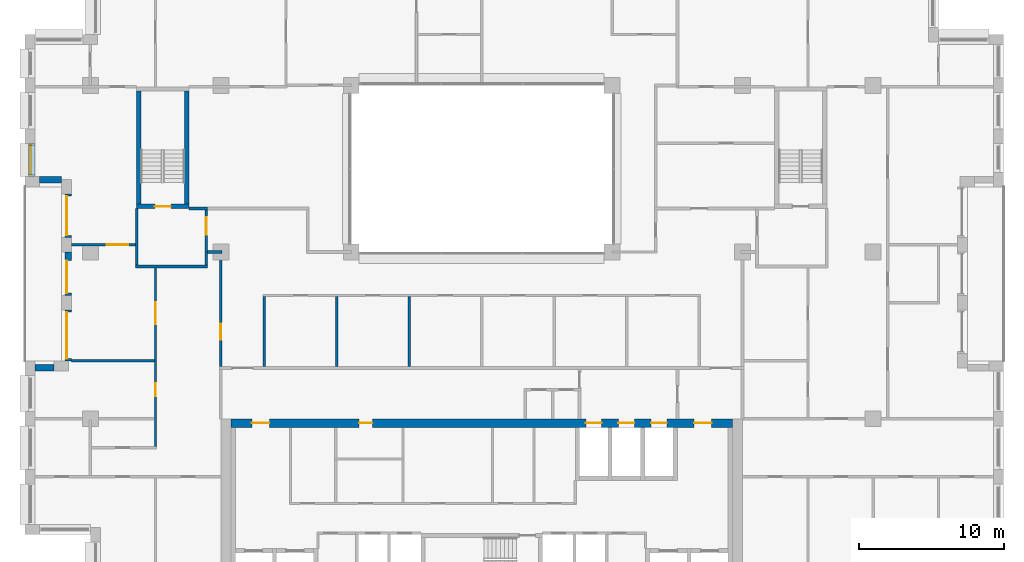
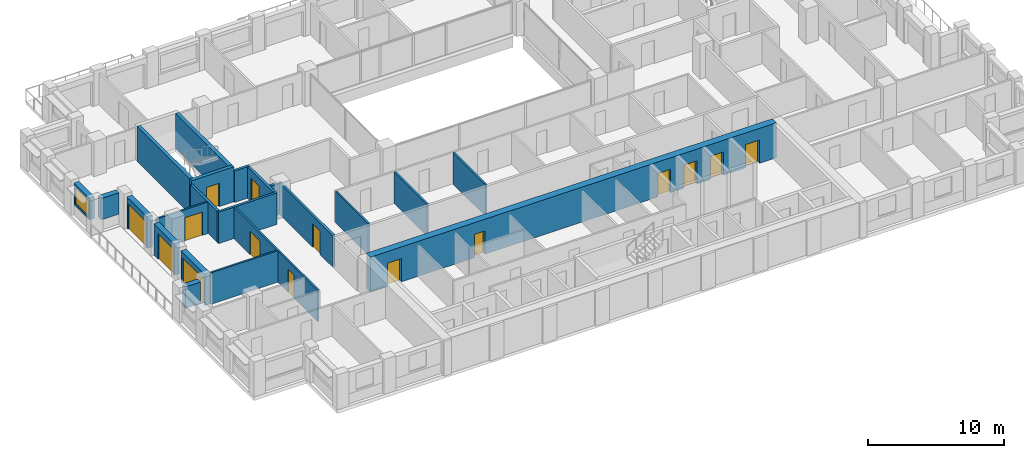
# One storey, part 9 of 16: 22 walls, 15 doors, 1 window, 16 openings.
"""IFC4 building model written with IfcOpenShell, lengths in metres."""

from ifc_helpers import new_model, si_unit, direction, frame, frame_2d, origin, place, context, subcontext, project, spatial, rectangle, extrude, material, layer, layer_set, type_object, element, fill, save


model = new_model("IFC4")

# Units and contexts
model_context = context("Model", 3, precision=1e-05, world=origin(), true_north=direction((0.0, 1.0)))
body_context = subcontext(model_context, "Body", "Model", "MODEL_VIEW")
ifc_project = project(units=[si_unit("LENGTHUNIT", "METRE"), si_unit("AREAUNIT", "SQUARE_METRE"), si_unit("VOLUMEUNIT", "CUBIC_METRE"), si_unit("PLANEANGLEUNIT", "RADIAN"), si_unit("MASSUNIT", "GRAM", prefix="KILO")], contexts=[model_context])

# Site, building, storey
site_placement = place(None, origin())
site = spatial("IfcSite", under=ifc_project, at=site_placement, CompositionType="ELEMENT")
building_placement = place(site_placement, origin())
building = spatial("IfcBuilding", under=site, at=building_placement, Name="Brigalow Station Residences", CompositionType="ELEMENT")
storey_placement = place(building_placement, frame((0.0, 0.0, 166.5)))
storey = spatial("IfcBuildingStorey", under=building, at=storey_placement, Name="L48", CompositionType="ELEMENT", Elevation=166.5)

# Wall, opening, window
ifc_material_1 = material(Name="Clay brick masonry", Category="masonry")
ifc_layer_1 = layer(ifc_material_1, 0.449951171875)
ifc_layer_set_1 = layer_set([ifc_layer_1], Name="BRICK INFILL WALL 450")
wall_type_1 = type_object("IfcWallType", Name="BRICK INFILL WALL 450", PredefinedType="SOLIDWALL", material=ifc_layer_set_1)
wall_1_placement = place(storey_placement, frame((4.97509765625, 31.5, 0.89990234375), z_axis=(0.0, 0.0, 1.0), x_axis=(0.0, -1.0, 0.0)))
wall_1 = element("IfcWall", 1, at=wall_1_placement, inside=storey, type_object=wall_type_1, Name="L48/ewall/W-L48-39", PredefinedType="SOLIDWALL", context=body_context, shape_type="SweptSolid", body=[
    extrude(rectangle(XDim=2.300048828125, YDim=0.449951171875, at=frame_2d((1.14990234375, 0.0))), origin(), (0.0, 0.0, 1.0), 1.93017578125),
])
opening_1_placement = place(wall_1_placement, frame((0.14990234375, 0.0, 0.14990234375)))
opening_1 = element("IfcOpeningElement", 2, at=opening_1_placement, cuts=wall_1, Name="Opening WT-7", PredefinedType="OPENING", context=body_context, shape_type="SweptSolid", body=[
    extrude(rectangle(XDim=2.0, YDim=1.5, at=frame_2d((1.0, 0.75))), frame((0.0, 0.23486328125, 0.0), z_axis=(0.0, -1.0, 0.0), x_axis=(1.0, 0.0, 0.0)), (0.0, 0.0, 1.0), 0.469970703125),
])
ifc_material_2 = material(Name="Anodised aluminium frame with double glazing", Category="aluminium")
window_type = type_object("IfcWindowType", Name="WINDOW 2000x1500", PartitioningType="SINGLE_PANEL", PredefinedType="WINDOW", material=ifc_material_2)
window_placement = place(opening_1_placement, origin())
window = element("IfcWindow", 3, at=window_placement, inside=storey, type_object=window_type, Name="L48/window/W-L48-39", OverallHeight=1.5, OverallWidth=2.0, PartitioningType="SINGLE_PANEL", PredefinedType="WINDOW", context=body_context, shape_type="SweptSolid", body=[
    extrude(rectangle(XDim=2.0, YDim=1.5, at=frame_2d((1.0, 0.75))), frame((0.0, -0.06494140625, 0.0), z_axis=(0.0, -1.0, 0.0), x_axis=(1.0, 0.0, 0.0)), (0.0, 0.0, 1.0), 0.06005859375),
])
fill(opening_1, window)

# Wall
wall_2_placement = place(storey_placement, frame((5.5, 28.97509765625, 0.89990234375), z_axis=(0.0, 0.0, 1.0), x_axis=(1.0, 0.0, 0.0)))
element("IfcWall", 4, at=wall_2_placement, inside=storey, type_object=wall_type_1, Name="L48/ewall/W-L48-40", PredefinedType="SOLIDWALL", context=body_context, shape_type="SweptSolid", body=[
    extrude(rectangle(XDim=1.5, YDim=0.449951171875, at=frame_2d((0.75, 0.0))), origin(), (0.0, 0.0, 1.0), 1.93017578125),
])

# Wall, opening, door
wall_3_placement = place(storey_placement, frame((7.47509765625, 28.0, 0.0), z_axis=(0.0, 0.0, 1.0), x_axis=(0.0, -1.0, 0.0)))
wall_3 = element("IfcWall", 5, at=wall_3_placement, inside=storey, type_object=wall_type_1, Name="L48/ewall/W-L48-41", PredefinedType="SOLIDWALL", context=body_context, shape_type="SweptSolid", body=[
    extrude(rectangle(XDim=3.0, YDim=0.449951171875, at=frame_2d((1.5, 0.0))), origin(), (0.0, 0.0, 1.0), 2.830078125),
])
opening_2_placement = place(wall_3_placement, frame((0.14990234375, 0.0, 0.0)))
opening_2 = element("IfcOpeningElement", 6, at=opening_2_placement, cuts=wall_3, Name="Opening D-B2700", PredefinedType="OPENING", context=body_context, shape_type="SweptSolid", body=[
    extrude(rectangle(XDim=2.699951171875, YDim=2.300048828125, at=frame_2d((1.35009765625, 1.14990234375))), frame((0.0, 0.23486328125, 0.0), z_axis=(0.0, -1.0, 0.0), x_axis=(1.0, 0.0, 0.0)), (0.0, 0.0, 1.0), 0.469970703125),
])
ifc_material_3 = material(Name="Anodised aluminium frame with double glazing", Category="aluminium")
door_type_1 = type_object("IfcDoorType", Name="BALCONY SLIDING DOOR 2700x2300", OperationType="SLIDING_TO_LEFT", PredefinedType="DOOR", material=ifc_material_3)
door_1_placement = place(opening_2_placement, origin())
door_1 = element("IfcDoor", 7, at=door_1_placement, inside=storey, type_object=door_type_1, Name="L48/balcony-door/W-L48-41", OperationType="SLIDING_TO_LEFT", OverallHeight=2.300048828125, OverallWidth=2.699951171875, PredefinedType="DOOR", context=body_context, shape_type="SweptSolid", body=[
    extrude(rectangle(XDim=2.699951171875, YDim=2.300048828125, at=frame_2d((1.35009765625, 1.14990234375))), frame((0.0, -0.06982421875, 0.0), z_axis=(0.0, -1.0, 0.0), x_axis=(1.0, 0.0, 0.0)), (0.0, 0.0, 1.0), 0.050048828125),
])
fill(opening_2, door_1)

wall_4_placement = place(storey_placement, frame((7.47509765625, 24.0, 0.0), z_axis=(0.0, 0.0, 1.0), x_axis=(0.0, -1.0, 0.0)))
wall_4 = element("IfcWall", 8, at=wall_4_placement, inside=storey, type_object=wall_type_1, Name="L48/ewall/W-L48-42", PredefinedType="SOLIDWALL", context=body_context, shape_type="SweptSolid", body=[
    extrude(rectangle(XDim=3.0, YDim=0.449951171875, at=frame_2d((1.5, 0.0))), origin(), (0.0, 0.0, 1.0), 2.830078125),
])
opening_3_placement = place(wall_4_placement, frame((0.5849609375, 0.0, 0.0)))
opening_3 = element("IfcOpeningElement", 9, at=opening_3_placement, cuts=wall_4, Name="Opening D-B2250", PredefinedType="OPENING", context=body_context, shape_type="SweptSolid", body=[
    extrude(rectangle(XDim=2.25, YDim=2.300048828125, at=frame_2d((1.125, 1.14990234375))), frame((0.0, 0.23486328125, 0.0), z_axis=(0.0, -1.0, 0.0), x_axis=(1.0, 0.0, 0.0)), (0.0, 0.0, 1.0), 0.469970703125),
])
ifc_material_4 = material(Name="Anodised aluminium frame with double glazing", Category="aluminium")
door_type_2 = type_object("IfcDoorType", Name="BALCONY SLIDING DOOR 2250x2300", OperationType="SLIDING_TO_LEFT", PredefinedType="DOOR", material=ifc_material_4)
door_2_placement = place(opening_3_placement, origin())
door_2 = element("IfcDoor", 10, at=door_2_placement, inside=storey, type_object=door_type_2, Name="L48/balcony-door/W-L48-42", OperationType="SLIDING_TO_LEFT", OverallHeight=2.300048828125, OverallWidth=2.25, PredefinedType="DOOR", context=body_context, shape_type="SweptSolid", body=[
    extrude(rectangle(XDim=2.25, YDim=2.300048828125, at=frame_2d((1.125, 1.14990234375))), frame((0.0, -0.06982421875, 0.0), z_axis=(0.0, -1.0, 0.0), x_axis=(1.0, 0.0, 0.0)), (0.0, 0.0, 1.0), 0.050048828125),
])
fill(opening_3, door_2)

wall_5_placement = place(storey_placement, frame((7.47509765625, 20.0, 0.0), z_axis=(0.0, 0.0, 1.0), x_axis=(0.0, -1.0, 0.0)))
wall_5 = element("IfcWall", 11, at=wall_5_placement, inside=storey, type_object=wall_type_1, Name="L48/ewall/W-L48-43", PredefinedType="SOLIDWALL", context=body_context, shape_type="SweptSolid", body=[
    extrude(rectangle(XDim=3.5, YDim=0.449951171875, at=frame_2d((1.75, 0.0))), origin(), (0.0, 0.0, 1.0), 2.830078125),
])
opening_4_placement = place(wall_5_placement, frame((0.14990234375, 0.0, 0.0)))
opening_4 = element("IfcOpeningElement", 12, at=opening_4_placement, cuts=wall_5, Name="Opening D-B3200", PredefinedType="OPENING", context=body_context, shape_type="SweptSolid", body=[
    extrude(rectangle(XDim=3.199951171875, YDim=2.300048828125, at=frame_2d((1.60009765625, 1.14990234375))), frame((0.0, 0.23486328125, 0.0), z_axis=(0.0, -1.0, 0.0), x_axis=(1.0, 0.0, 0.0)), (0.0, 0.0, 1.0), 0.469970703125),
])
ifc_material_5 = material(Name="Anodised aluminium frame with double glazing", Category="aluminium")
door_type_3 = type_object("IfcDoorType", Name="BALCONY SLIDING DOOR 3200x2300", OperationType="SLIDING_TO_LEFT", PredefinedType="DOOR", material=ifc_material_5)
door_3_placement = place(opening_4_placement, origin())
door_3 = element("IfcDoor", 13, at=door_3_placement, inside=storey, type_object=door_type_3, Name="L48/balcony-door/W-L48-43", OperationType="SLIDING_TO_LEFT", OverallHeight=2.300048828125, OverallWidth=3.199951171875, PredefinedType="DOOR", context=body_context, shape_type="SweptSolid", body=[
    extrude(rectangle(XDim=3.199951171875, YDim=2.300048828125, at=frame_2d((1.60009765625, 1.14990234375))), frame((0.0, -0.06982421875, 0.0), z_axis=(0.0, -1.0, 0.0), x_axis=(1.0, 0.0, 0.0)), (0.0, 0.0, 1.0), 0.050048828125),
])
fill(opening_4, door_3)

# Wall
wall_6_placement = place(storey_placement, frame((6.5, 16.02490234375, 0.89990234375), z_axis=(0.0, 0.0, 1.0), x_axis=(-1.0, 0.0, 0.0)))
element("IfcWall", 14, at=wall_6_placement, inside=storey, type_object=wall_type_1, Name="L48/ewall/W-L48-44", PredefinedType="SOLIDWALL", context=body_context, shape_type="SweptSolid", body=[
    extrude(rectangle(XDim=1.300048828125, YDim=0.449951171875, at=frame_2d((0.64990234375, 0.0))), origin(), (0.0, 0.0, 1.0), 1.93017578125),
])

# Wall, opening, door
ifc_material_6 = material(Name="Concrete C65", Category="concrete")
ifc_layer_2 = layer(ifc_material_6, 0.300048828125)
ifc_layer_set_2 = layer_set([ifc_layer_2], Name="CORE SHEAR WALL 300 C65")
wall_type_2 = type_object("IfcWallType", Name="CORE SHEAR WALL 300 C65", PredefinedType="SHEAR", material=ifc_layer_set_2)
wall_7_placement = place(storey_placement, frame((12.199951171875, 27.14990234375, 0.0), z_axis=(0.0, 0.0, 1.0), x_axis=(1.0, 0.0, 0.0)))
wall_7 = element("IfcWall", 15, at=wall_7_placement, inside=storey, type_object=wall_type_2, Name="CORE WALL ST-S1-S L48", PredefinedType="SHEAR", context=body_context, shape_type="SweptSolid", body=[
    extrude(rectangle(XDim=3.60009765625, YDim=0.300048828125, at=frame_2d((1.800048828125, 0.0))), origin(), (0.0, 0.0, 1.0), 3.14990234375),
])
opening_5_placement = place(wall_7_placement, frame((1.25, 0.0, 0.0)))
opening_5 = element("IfcOpeningElement", 16, at=opening_5_placement, cuts=wall_7, Name="Opening D-5015", PredefinedType="OPENING", context=body_context, shape_type="SweptSolid", body=[
    extrude(rectangle(XDim=1.10009765625, YDim=2.10009765625, at=frame_2d((0.550048828125, 1.050048828125))), frame((0.0, 0.16015625, 0.0), z_axis=(0.0, -1.0, 0.0), x_axis=(1.0, 0.0, 0.0)), (0.0, 0.0, 1.0), 0.320068359375),
])
ifc_material_7 = material(Name="Steel fire door leaf in steel frame", Category="steel")
door_type_4 = type_object("IfcDoorType", Name="STAIR DOOR 1100 x 2100 FD60S", OperationType="SINGLE_SWING_LEFT", PredefinedType="DOOR", material=ifc_material_7)
door_4_placement = place(opening_5_placement, origin())
door_4 = element("IfcDoor", 17, at=door_4_placement, inside=storey, type_object=door_type_4, Name="D-5015", OperationType="SINGLE_SWING_LEFT", OverallHeight=2.10009765625, OverallWidth=1.10009765625, PredefinedType="DOOR", context=body_context, shape_type="SweptSolid", body=[
    extrude(rectangle(XDim=1.10009765625, YDim=2.10009765625, at=frame_2d((0.550048828125, 1.050048828125))), frame((0.0, 0.02490234375, 0.0), z_axis=(0.0, -1.0, 0.0), x_axis=(1.0, 0.0, 0.0)), (0.0, 0.0, 1.0), 0.050048828125),
])
fill(opening_5, door_4)

# Walls
for number, where, z_axis, x_axis, name in (
    (18, (12.35009765625, 27.300048828125, 0.0), (0.0, 0.0, 1.0), (0.0, 1.0, 0.0), "CORE WALL ST-S1-W L48"),
    (19, (15.64990234375, 27.300048828125, 0.0), (0.0, 0.0, 1.0), (0.0, 1.0, 0.0), "CORE WALL ST-S1-E L48"),
):
    element("IfcWall", number, at=place(storey_placement, frame(where, z_axis=z_axis, x_axis=x_axis)), inside=storey, type_object=wall_type_2, Name=name, PredefinedType="SHEAR", context=body_context, shape_type="SweptSolid", body=[
        extrude(rectangle(XDim=7.800048828125, YDim=0.300048828125, at=frame_2d((3.89990234375, 0.0))), origin(), (0.0, 0.0, 1.0), 3.14990234375),
    ])

# Wall, openings, doors
ifc_material_8 = material(Name="Concrete C65", Category="concrete")
ifc_layer_3 = layer(ifc_material_8, 0.60009765625)
ifc_layer_set_3 = layer_set([ifc_layer_3], Name="CORE SHEAR WALL 600 C65")
wall_type_3 = type_object("IfcWallType", Name="CORE SHEAR WALL 600 C65", PredefinedType="SHEAR", material=ifc_layer_set_3)
wall_8_placement = place(storey_placement, frame((18.699951171875, 12.199951171875, 0.0), z_axis=(0.0, 0.0, 1.0), x_axis=(1.0, 0.0, 0.0)))
wall_8 = element("IfcWall", 20, at=wall_8_placement, inside=storey, type_object=wall_type_3, Name="CORE WALL OUT-N L48", PredefinedType="SHEAR", context=body_context, shape_type="SweptSolid", body=[
    extrude(rectangle(XDim=34.60009765625, YDim=0.60009765625, at=frame_2d((17.300048828125, 0.0))), origin(), (0.0, 0.0, 1.0), 3.14990234375),
])
opening_6_placement = place(wall_8_placement, frame((24.47509765625, 0.0, 0.0)))
opening_6 = element("IfcOpeningElement", 21, at=opening_6_placement, cuts=wall_8, Name="Opening LD-LF1", PredefinedType="OPENING", context=body_context, shape_type="SweptSolid", body=[
    extrude(rectangle(XDim=1.10009765625, YDim=2.10009765625, at=frame_2d((0.550048828125, 1.050048828125))), frame((0.0, 0.31005859375, 0.0), z_axis=(0.0, -1.0, 0.0), x_axis=(1.0, 0.0, 0.0)), (0.0, 0.0, 1.0), 0.6201171875),
])
opening_7_placement = place(wall_8_placement, frame((26.72509765625, 0.0, 0.0)))
opening_7 = element("IfcOpeningElement", 22, at=opening_7_placement, cuts=wall_8, Name="Opening LD-LF2", PredefinedType="OPENING", context=body_context, shape_type="SweptSolid", body=[
    extrude(rectangle(XDim=1.10009765625, YDim=2.10009765625, at=frame_2d((0.550048828125, 1.050048828125))), frame((0.0, 0.31005859375, 0.0), z_axis=(0.0, -1.0, 0.0), x_axis=(1.0, 0.0, 0.0)), (0.0, 0.0, 1.0), 0.6201171875),
])
opening_8_placement = place(wall_8_placement, frame((28.97509765625, 0.0, 0.0)))
opening_8 = element("IfcOpeningElement", 23, at=opening_8_placement, cuts=wall_8, Name="Opening LD-LG1", PredefinedType="OPENING", context=body_context, shape_type="SweptSolid", body=[
    extrude(rectangle(XDim=1.10009765625, YDim=2.10009765625, at=frame_2d((0.550048828125, 1.050048828125))), frame((0.0, 0.31005859375, 0.0), z_axis=(0.0, -1.0, 0.0), x_axis=(1.0, 0.0, 0.0)), (0.0, 0.0, 1.0), 0.6201171875),
])
opening_9_placement = place(wall_8_placement, frame((8.85009765625, 0.0, 0.0)))
opening_9 = element("IfcOpeningElement", 24, at=opening_9_placement, cuts=wall_8, Name="Opening D-5121", PredefinedType="OPENING", context=body_context, shape_type="SweptSolid", body=[
    extrude(rectangle(XDim=0.89990234375, YDim=2.10009765625, at=frame_2d((0.449951171875, 1.050048828125))), frame((0.0, 0.31005859375, 0.0), z_axis=(0.0, -1.0, 0.0), x_axis=(1.0, 0.0, 0.0)), (0.0, 0.0, 1.0), 0.6201171875),
])
opening_10_placement = place(wall_8_placement, frame((1.449951171875, 0.0, 0.0)))
opening_10 = element("IfcOpeningElement", 25, at=opening_10_placement, cuts=wall_8, Name="Opening D-5011", PredefinedType="OPENING", context=body_context, shape_type="SweptSolid", body=[
    extrude(rectangle(XDim=1.199951171875, YDim=2.10009765625, at=frame_2d((0.60009765625, 1.050048828125))), frame((0.0, 0.31005859375, 0.0), z_axis=(0.0, -1.0, 0.0), x_axis=(1.0, 0.0, 0.0)), (0.0, 0.0, 1.0), 0.6201171875),
])
opening_11_placement = place(wall_8_placement, frame((31.949951171875, 0.0, 0.0)))
opening_11 = element("IfcOpeningElement", 26, at=opening_11_placement, cuts=wall_8, Name="Opening D-5012", PredefinedType="OPENING", context=body_context, shape_type="SweptSolid", body=[
    extrude(rectangle(XDim=1.199951171875, YDim=2.10009765625, at=frame_2d((0.60009765625, 1.050048828125))), frame((0.0, 0.31005859375, 0.0), z_axis=(0.0, -1.0, 0.0), x_axis=(1.0, 0.0, 0.0)), (0.0, 0.0, 1.0), 0.6201171875),
])
ifc_material_9 = material(Name="Steel fire door leaf in steel frame", Category="steel")
door_type_5 = type_object("IfcDoorType", Name="CORE CORRIDOR DOOR 1200 x 2100 FD60S", OperationType="SINGLE_SWING_LEFT", PredefinedType="DOOR", material=ifc_material_9)
door_5_placement = place(opening_10_placement, frame((1.199951171875, 0.0, 0.0), z_axis=(0.0, 0.0, 1.0), x_axis=(-1.0, 0.0, 0.0)))
door_5 = element("IfcDoor", 27, at=door_5_placement, inside=storey, type_object=door_type_5, Name="D-5011", OperationType="SINGLE_SWING_LEFT", OverallHeight=2.10009765625, OverallWidth=1.199951171875, PredefinedType="DOOR", context=body_context, shape_type="SweptSolid", body=[
    extrude(rectangle(XDim=1.199951171875, YDim=2.10009765625, at=frame_2d((0.60009765625, 1.050048828125))), frame((0.0, 0.02490234375, 0.0), z_axis=(0.0, -1.0, 0.0), x_axis=(1.0, 0.0, 0.0)), (0.0, 0.0, 1.0), 0.050048828125),
])
fill(opening_10, door_5)
door_6_placement = place(opening_11_placement, frame((1.199951171875, 0.0, 0.0), z_axis=(0.0, 0.0, 1.0), x_axis=(-1.0, 0.0, 0.0)))
door_6 = element("IfcDoor", 28, at=door_6_placement, inside=storey, type_object=door_type_5, Name="D-5012", OperationType="SINGLE_SWING_RIGHT", OverallHeight=2.10009765625, OverallWidth=1.199951171875, PredefinedType="DOOR", context=body_context, shape_type="SweptSolid", body=[
    extrude(rectangle(XDim=1.199951171875, YDim=2.10009765625, at=frame_2d((0.60009765625, 1.050048828125))), frame((0.0, 0.02490234375, 0.0), z_axis=(0.0, -1.0, 0.0), x_axis=(1.0, 0.0, 0.0)), (0.0, 0.0, 1.0), 0.050048828125),
])
fill(opening_11, door_6)
ifc_material_10 = material(Name="Stainless steel sliding door leaves", Category="steel")
door_type_6 = type_object("IfcDoorType", Name="LIFT LANDING DOOR 1100 x 2100", OperationType="DOUBLE_DOOR_SLIDING", PredefinedType="DOOR", material=ifc_material_10)
door_7_placement = place(opening_6_placement, origin())
door_7 = element("IfcDoor", 29, at=door_7_placement, inside=storey, type_object=door_type_6, Name="LANDING DOOR LF1", OperationType="DOUBLE_DOOR_SLIDING", OverallHeight=2.10009765625, OverallWidth=1.10009765625, PredefinedType="DOOR", context=body_context, shape_type="SweptSolid", body=[
    extrude(rectangle(XDim=1.10009765625, YDim=2.10009765625, at=frame_2d((0.550048828125, 1.050048828125))), frame((0.0, 0.02490234375, 0.0), z_axis=(0.0, -1.0, 0.0), x_axis=(1.0, 0.0, 0.0)), (0.0, 0.0, 1.0), 0.050048828125),
])
fill(opening_6, door_7)
door_8_placement = place(opening_7_placement, origin())
door_8 = element("IfcDoor", 30, at=door_8_placement, inside=storey, type_object=door_type_6, Name="LANDING DOOR LF2", OperationType="DOUBLE_DOOR_SLIDING", OverallHeight=2.10009765625, OverallWidth=1.10009765625, PredefinedType="DOOR", context=body_context, shape_type="SweptSolid", body=[
    extrude(rectangle(XDim=1.10009765625, YDim=2.10009765625, at=frame_2d((0.550048828125, 1.050048828125))), frame((0.0, 0.02490234375, 0.0), z_axis=(0.0, -1.0, 0.0), x_axis=(1.0, 0.0, 0.0)), (0.0, 0.0, 1.0), 0.050048828125),
])
fill(opening_7, door_8)
door_9_placement = place(opening_8_placement, origin())
door_9 = element("IfcDoor", 31, at=door_9_placement, inside=storey, type_object=door_type_6, Name="LANDING DOOR LG1", OperationType="DOUBLE_DOOR_SLIDING", OverallHeight=2.10009765625, OverallWidth=1.10009765625, PredefinedType="DOOR", context=body_context, shape_type="SweptSolid", body=[
    extrude(rectangle(XDim=1.10009765625, YDim=2.10009765625, at=frame_2d((0.550048828125, 1.050048828125))), frame((0.0, 0.02490234375, 0.0), z_axis=(0.0, -1.0, 0.0), x_axis=(1.0, 0.0, 0.0)), (0.0, 0.0, 1.0), 0.050048828125),
])
fill(opening_8, door_9)
ifc_material_11 = material(Name="Steel door leaf in steel frame", Category="steel")
door_type_7 = type_object("IfcDoorType", Name="SERVICE ROOM DOOR 900 x 2100 FD60", OperationType="SINGLE_SWING_LEFT", PredefinedType="DOOR", material=ifc_material_11)
door_10_placement = place(opening_9_placement, frame((0.89990234375, 0.0, 0.0), z_axis=(0.0, 0.0, 1.0), x_axis=(-1.0, 0.0, 0.0)))
door_10 = element("IfcDoor", 32, at=door_10_placement, inside=storey, type_object=door_type_7, Name="D-5121", OperationType="SINGLE_SWING_RIGHT", OverallHeight=2.10009765625, OverallWidth=0.89990234375, PredefinedType="DOOR", context=body_context, shape_type="SweptSolid", body=[
    extrude(rectangle(XDim=0.89990234375, YDim=2.10009765625, at=frame_2d((0.449951171875, 1.050048828125))), frame((0.0, 0.02490234375, 0.0), z_axis=(0.0, -1.0, 0.0), x_axis=(1.0, 0.0, 0.0)), (0.0, 0.0, 1.0), 0.050048828125),
])
fill(opening_9, door_10)

# Walls
ifc_material_12 = material(Name="Concrete blockwork", Category="masonry")
ifc_layer_4 = layer(ifc_material_12, 0.199951171875)
ifc_layer_set_4 = layer_set([ifc_layer_4], Name="FIRE RATED CORE PARTITION 200")
wall_type_4 = type_object("IfcWallType", Name="FIRE RATED CORE PARTITION 200", PredefinedType="PARTITIONING", material=ifc_layer_set_4)
wall_9_placement = place(storey_placement, frame((12.10009765625, 23.0, 0.0), z_axis=(0.0, 0.0, 1.0), x_axis=(1.0, 0.0, 0.0)))
element("IfcWall", 33, at=wall_9_placement, inside=storey, type_object=wall_type_4, Name="PW-5023", PredefinedType="PARTITIONING", context=body_context, shape_type="SweptSolid", body=[
    extrude(rectangle(XDim=5.0, YDim=0.199951171875, at=frame_2d((2.5, 0.0))), origin(), (0.0, 0.0, 1.0), 2.830078125),
])
wall_10_placement = place(storey_placement, frame((15.800048828125, 27.0, 0.0), z_axis=(0.0, 0.0, 1.0), x_axis=(1.0, 0.0, 0.0)))
element("IfcWall", 34, at=wall_10_placement, inside=storey, type_object=wall_type_4, Name="PW-5025", PredefinedType="PARTITIONING", context=body_context, shape_type="SweptSolid", body=[
    extrude(rectangle(XDim=1.300048828125, YDim=0.199951171875, at=frame_2d((0.64990234375, 0.0))), origin(), (0.0, 0.0, 1.0), 2.830078125),
])
wall_11_placement = place(storey_placement, frame((12.199951171875, 23.10009765625, 0.0), z_axis=(0.0, 0.0, 1.0), x_axis=(0.0, 1.0, 0.0)))
element("IfcWall", 35, at=wall_11_placement, inside=storey, type_object=wall_type_4, Name="PW-5034", PredefinedType="PARTITIONING", context=body_context, shape_type="SweptSolid", body=[
    extrude(rectangle(XDim=3.89990234375, YDim=0.199951171875, at=frame_2d((1.949951171875, 0.0))), origin(), (0.0, 0.0, 1.0), 2.830078125),
])

# Wall, opening, door
wall_12_placement = place(storey_placement, frame((17.0, 23.10009765625, 0.0), z_axis=(0.0, 0.0, 1.0), x_axis=(0.0, 1.0, 0.0)))
wall_12 = element("IfcWall", 36, at=wall_12_placement, inside=storey, type_object=wall_type_4, Name="PW-5035", PredefinedType="PARTITIONING", context=body_context, shape_type="SweptSolid", body=[
    extrude(rectangle(XDim=3.7998046875, YDim=0.199951171875, at=frame_2d((1.89990234375, 0.0))), origin(), (0.0, 0.0, 1.0), 2.830078125),
])
opening_12_placement = place(wall_12_placement, frame((2.10009765625, 0.0, 0.0)))
opening_12 = element("IfcOpeningElement", 37, at=opening_12_placement, cuts=wall_12, Name="Opening D-5016", PredefinedType="OPENING", context=body_context, shape_type="SweptSolid", body=[
    extrude(rectangle(XDim=1.199951171875, YDim=2.10009765625, at=frame_2d((0.60009765625, 1.050048828125))), frame((0.0, 0.10986328125, 0.0), z_axis=(0.0, -1.0, 0.0), x_axis=(1.0, 0.0, 0.0)), (0.0, 0.0, 1.0), 0.219970703125),
])
ifc_material_13 = material(Name="Steel fire door leaf in steel frame", Category="steel")
door_type_8 = type_object("IfcDoorType", Name="STAIR LOBBY DOOR 1200 x 2100 FD60S", OperationType="SINGLE_SWING_LEFT", PredefinedType="DOOR", material=ifc_material_13)
door_11_placement = place(opening_12_placement, origin())
door_11 = element("IfcDoor", 38, at=door_11_placement, inside=storey, type_object=door_type_8, Name="D-5016", OperationType="SINGLE_SWING_RIGHT", OverallHeight=2.10009765625, OverallWidth=1.199951171875, PredefinedType="DOOR", context=body_context, shape_type="SweptSolid", body=[
    extrude(rectangle(XDim=1.199951171875, YDim=2.10009765625, at=frame_2d((0.60009765625, 1.050048828125))), frame((0.0, 0.02490234375, 0.0), z_axis=(0.0, -1.0, 0.0), x_axis=(1.0, 0.0, 0.0)), (0.0, 0.0, 1.0), 0.050048828125),
])
fill(opening_12, door_11)

# Wall
ifc_material_14 = material(Name="Plasterboard on steel stud partition", Category="steel")
ifc_layer_5 = layer(ifc_material_14, 0.14990234375)
ifc_layer_set_5 = layer_set([ifc_layer_5], Name="FLAT PARTITION 150")
wall_type_5 = type_object("IfcWallType", Name="FLAT PARTITION 150", PredefinedType="PARTITIONING", material=ifc_layer_set_5)
wall_13_placement = place(storey_placement, frame((7.699951171875, 16.5, 0.0), z_axis=(0.0, 0.0, 1.0), x_axis=(1.0, 0.0, 0.0)))
element("IfcWall", 39, at=wall_13_placement, inside=storey, type_object=wall_type_5, Name="PW-3D13", PredefinedType="PARTITIONING", context=body_context, shape_type="SweptSolid", body=[
    extrude(rectangle(XDim=5.72509765625, YDim=0.14990234375, at=frame_2d((2.862548828125, 0.0))), origin(), (0.0, 0.0, 1.0), 2.830078125),
])

# Wall, opening, door
wall_14_placement = place(storey_placement, frame((7.699951171875, 24.5, 0.0), z_axis=(0.0, 0.0, 1.0), x_axis=(1.0, 0.0, 0.0)))
wall_14 = element("IfcWall", 40, at=wall_14_placement, inside=storey, type_object=wall_type_5, Name="PW-3D15", PredefinedType="PARTITIONING", context=body_context, shape_type="SweptSolid", body=[
    extrude(rectangle(XDim=4.400146484375, YDim=0.14990234375, at=frame_2d((2.2001953125, 0.0))), origin(), (0.0, 0.0, 1.0), 2.830078125),
])
opening_13_placement = place(wall_14_placement, frame((2.425048828125, 0.0, 0.0)))
opening_13 = element("IfcOpeningElement", 41, at=opening_13_placement, cuts=wall_14, Name="Opening D-3D10", PredefinedType="OPENING", context=body_context, shape_type="SweptSolid", body=[
    extrude(rectangle(XDim=1.5, YDim=2.10009765625, at=frame_2d((0.75, 1.050048828125))), frame((0.0, 0.0849609375, 0.0), z_axis=(0.0, -1.0, 0.0), x_axis=(1.0, 0.0, 0.0)), (0.0, 0.0, 1.0), 0.169921875),
])
ifc_material_15 = material(Name="Solid-core timber door leaf", Category="wood")
door_type_9 = type_object("IfcDoorType", Name="INTERNAL DOUBLE DOOR 1500 x 2100", OperationType="DOUBLE_DOOR_SINGLE_SWING", PredefinedType="DOOR", material=ifc_material_15)
door_12_placement = place(opening_13_placement, frame((1.5, 0.0, 0.0), z_axis=(0.0, 0.0, 1.0), x_axis=(-1.0, 0.0, 0.0)))
door_12 = element("IfcDoor", 42, at=door_12_placement, inside=storey, type_object=door_type_9, Name="D-3D10", OperationType="DOUBLE_DOOR_SINGLE_SWING", OverallHeight=2.10009765625, OverallWidth=1.5, PredefinedType="DOOR", context=body_context, shape_type="SweptSolid", body=[
    extrude(rectangle(XDim=1.5, YDim=2.10009765625, at=frame_2d((0.75, 1.050048828125))), frame((0.0, 0.02490234375, 0.0), z_axis=(0.0, -1.0, 0.0), x_axis=(1.0, 0.0, 0.0)), (0.0, 0.0, 1.0), 0.050048828125),
])
fill(opening_13, door_12)

# Wall
wall_15_placement = place(storey_placement, frame((21.0, 16.10009765625, 0.0), z_axis=(0.0, 0.0, 1.0), x_axis=(0.0, 1.0, 0.0)))
element("IfcWall", 43, at=wall_15_placement, inside=storey, type_object=wall_type_5, Name="PW-3D30", PredefinedType="PARTITIONING", context=body_context, shape_type="SweptSolid", body=[
    extrude(rectangle(XDim=4.824951171875, YDim=0.14990234375, at=frame_2d((2.41259765625, 0.0))), origin(), (0.0, 0.0, 1.0), 2.830078125),
])

# Wall, openings, doors
wall_16_placement = place(storey_placement, frame((13.5, 10.574951171875, 0.0), z_axis=(0.0, 0.0, 1.0), x_axis=(0.0, 1.0, 0.0)))
wall_16 = element("IfcWall", 44, at=wall_16_placement, inside=storey, type_object=wall_type_5, Name="PW-3D36", PredefinedType="PARTITIONING", context=body_context, shape_type="SweptSolid", body=[
    extrude(rectangle(XDim=12.324951171875, YDim=0.14990234375, at=frame_2d((6.16259765625, 0.0))), origin(), (0.0, 0.0, 1.0), 2.830078125),
])
opening_14_placement = place(wall_16_placement, frame((3.47509765625, 0.0, 0.0)))
opening_14 = element("IfcOpeningElement", 45, at=opening_14_placement, cuts=wall_16, Name="Opening D-3D08", PredefinedType="OPENING", context=body_context, shape_type="SweptSolid", body=[
    extrude(rectangle(XDim=0.89990234375, YDim=2.10009765625, at=frame_2d((0.449951171875, 1.050048828125))), frame((0.0, 0.0849609375, 0.0), z_axis=(0.0, -1.0, 0.0), x_axis=(1.0, 0.0, 0.0)), (0.0, 0.0, 1.0), 0.169921875),
])
opening_15_placement = place(wall_16_placement, frame((8.449951171875, 0.0, 0.0)))
opening_15 = element("IfcOpeningElement", 46, at=opening_15_placement, cuts=wall_16, Name="Opening D-3D09", PredefinedType="OPENING", context=body_context, shape_type="SweptSolid", body=[
    extrude(rectangle(XDim=1.5, YDim=2.10009765625, at=frame_2d((0.75, 1.050048828125))), frame((0.0, 0.0849609375, 0.0), z_axis=(0.0, -1.0, 0.0), x_axis=(1.0, 0.0, 0.0)), (0.0, 0.0, 1.0), 0.169921875),
])
ifc_material_16 = material(Name="Solid-core timber door leaf", Category="wood")
door_type_10 = type_object("IfcDoorType", Name="INTERNAL DOOR 900 x 2100", OperationType="SINGLE_SWING_LEFT", PredefinedType="DOOR", material=ifc_material_16)
door_13_placement = place(opening_14_placement, origin())
door_13 = element("IfcDoor", 47, at=door_13_placement, inside=storey, type_object=door_type_10, Name="D-3D08", OperationType="SINGLE_SWING_RIGHT", OverallHeight=2.10009765625, OverallWidth=0.89990234375, PredefinedType="DOOR", context=body_context, shape_type="SweptSolid", body=[
    extrude(rectangle(XDim=0.89990234375, YDim=2.10009765625, at=frame_2d((0.449951171875, 1.050048828125))), frame((0.0, 0.02490234375, 0.0), z_axis=(0.0, -1.0, 0.0), x_axis=(1.0, 0.0, 0.0)), (0.0, 0.0, 1.0), 0.050048828125),
])
fill(opening_14, door_13)
door_14_placement = place(opening_15_placement, origin())
door_14 = element("IfcDoor", 48, at=door_14_placement, inside=storey, type_object=door_type_9, Name="D-3D09", OperationType="DOUBLE_DOOR_SINGLE_SWING", OverallHeight=2.10009765625, OverallWidth=1.5, PredefinedType="DOOR", context=body_context, shape_type="SweptSolid", body=[
    extrude(rectangle(XDim=1.5, YDim=2.10009765625, at=frame_2d((0.75, 1.050048828125))), frame((0.0, 0.02490234375, 0.0), z_axis=(0.0, -1.0, 0.0), x_axis=(1.0, 0.0, 0.0)), (0.0, 0.0, 1.0), 0.050048828125),
])
fill(opening_15, door_14)

# Walls
for number, where, z_axis, x_axis, name in (
    (49, (26.0, 16.10009765625, 0.0), (0.0, 0.0, 1.0), (0.0, 1.0, 0.0), "PW-3D55"),
    (50, (31.0, 16.10009765625, 0.0), (0.0, 0.0, 1.0), (0.0, 1.0, 0.0), "PW-3D56"),
):
    element("IfcWall", number, at=place(storey_placement, frame(where, z_axis=z_axis, x_axis=x_axis)), inside=storey, type_object=wall_type_5, Name=name, PredefinedType="PARTITIONING", context=body_context, shape_type="SweptSolid", body=[
        extrude(rectangle(XDim=4.824951171875, YDim=0.14990234375, at=frame_2d((2.41259765625, 0.0))), origin(), (0.0, 0.0, 1.0), 2.830078125),
    ])
ifc_material_17 = material(Name="Plasterboard on steel stud partition", Category="steel")
ifc_layer_6 = layer(ifc_material_17, 0.199951171875)
ifc_layer_set_6 = layer_set([ifc_layer_6], Name="PARTY AND CORRIDOR WALL 200")
wall_type_6 = type_object("IfcWallType", Name="PARTY AND CORRIDOR WALL 200", PredefinedType="PARTITIONING", material=ifc_layer_set_6)
wall_17_placement = place(storey_placement, frame((17.10009765625, 24.0, 0.0), z_axis=(0.0, 0.0, 1.0), x_axis=(1.0, 0.0, 0.0)))
element("IfcWall", 51, at=wall_17_placement, inside=storey, type_object=wall_type_6, Name="PW-3D02", PredefinedType="PARTITIONING", context=body_context, shape_type="SweptSolid", body=[
    extrude(rectangle(XDim=1.0, YDim=0.199951171875, at=frame_2d((0.5, 0.0))), origin(), (0.0, 0.0, 1.0), 2.830078125),
])

# Wall, opening, door
wall_18_placement = place(storey_placement, frame((18.0, 16.10009765625, 0.0), z_axis=(0.0, 0.0, 1.0), x_axis=(0.0, 1.0, 0.0)))
wall_18 = element("IfcWall", 52, at=wall_18_placement, inside=storey, type_object=wall_type_6, Name="PW-3D28", PredefinedType="PARTITIONING", context=body_context, shape_type="SweptSolid", body=[
    extrude(rectangle(XDim=7.7998046875, YDim=0.199951171875, at=frame_2d((3.89990234375, 0.0))), origin(), (0.0, 0.0, 1.0), 2.830078125),
])
opening_16_placement = place(wall_18_placement, frame((1.85009765625, 0.0, 0.0)))
opening_16 = element("IfcOpeningElement", 53, at=opening_16_placement, cuts=wall_18, Name="Opening D-3D03", PredefinedType="OPENING", context=body_context, shape_type="SweptSolid", body=[
    extrude(rectangle(XDim=1.10009765625, YDim=2.10009765625, at=frame_2d((0.550048828125, 1.050048828125))), frame((0.0, 0.10986328125, 0.0), z_axis=(0.0, -1.0, 0.0), x_axis=(1.0, 0.0, 0.0)), (0.0, 0.0, 1.0), 0.219970703125),
])
ifc_material_18 = material(Name="Solid-core timber door leaf", Category="wood")
door_type_11 = type_object("IfcDoorType", Name="FLAT ENTRANCE DOOR 1100 x 2100 FRL -/60/30", OperationType="SINGLE_SWING_LEFT", PredefinedType="DOOR", material=ifc_material_18)
door_15_placement = place(opening_16_placement, origin())
door_15 = element("IfcDoor", 54, at=door_15_placement, inside=storey, type_object=door_type_11, Name="D-3D03", OperationType="SINGLE_SWING_RIGHT", OverallHeight=2.10009765625, OverallWidth=1.10009765625, PredefinedType="DOOR", context=body_context, shape_type="SweptSolid", body=[
    extrude(rectangle(XDim=1.10009765625, YDim=2.10009765625, at=frame_2d((0.550048828125, 1.050048828125))), frame((0.0, 0.02490234375, 0.0), z_axis=(0.0, -1.0, 0.0), x_axis=(1.0, 0.0, 0.0)), (0.0, 0.0, 1.0), 0.050048828125),
])
fill(opening_16, door_15)

save(model, "model.ifc")
